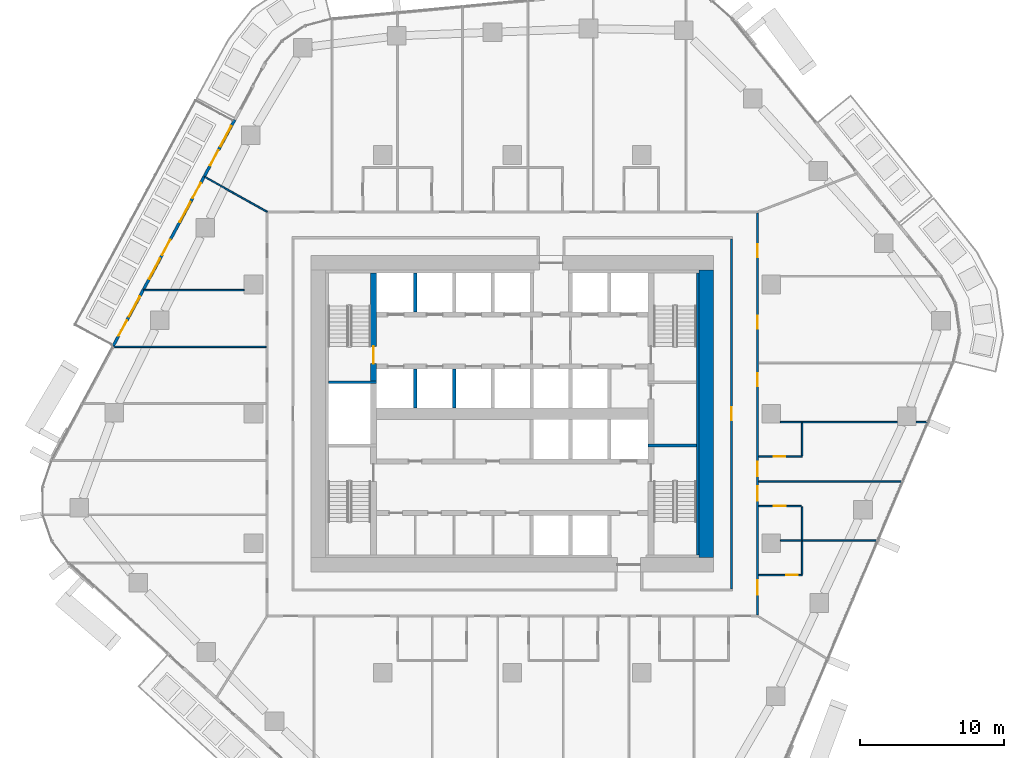
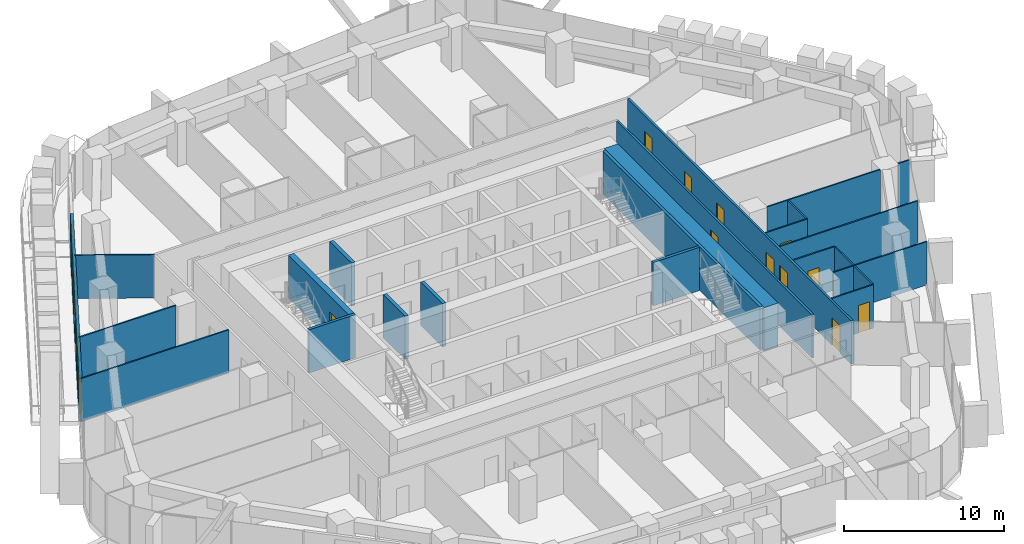
# One storey, part 14 of 23: 24 walls, 15 doors, 4 windows, 19 openings.
"""IFC4 building model written with IfcOpenShell, lengths in metres."""

from ifc_helpers import new_model, si_unit, direction, frame, frame_2d, origin, place, context, subcontext, project, spatial, rectangle, extrude, material, layer, layer_set, type_object, element, fill, save


model = new_model("IFC4")

# Units and contexts
model_context = context("Model", 3, precision=1e-05, world=origin(), true_north=direction((0.0, 1.0)))
body_context = subcontext(model_context, "Body", "Model", "MODEL_VIEW")
ifc_project = project(units=[si_unit("LENGTHUNIT", "METRE"), si_unit("AREAUNIT", "SQUARE_METRE"), si_unit("VOLUMEUNIT", "CUBIC_METRE"), si_unit("PLANEANGLEUNIT", "RADIAN"), si_unit("MASSUNIT", "GRAM", prefix="KILO")], contexts=[model_context])

# Site, building, storey
site_placement = place(None, origin())
site = spatial("IfcSite", under=ifc_project, at=site_placement, CompositionType="ELEMENT")
building_placement = place(site_placement, origin())
building = spatial("IfcBuilding", under=site, at=building_placement, Name="Dongbaek Canopy Tower", CompositionType="ELEMENT")
storey_placement = place(building_placement, frame((0.0, 0.0, 121.10009765625)))
storey = spatial("IfcBuildingStorey", under=building, at=storey_placement, Name="L26", CompositionType="ELEMENT", Elevation=121.10009765625)

# Walls
ifc_material_1 = material(Name="Concrete C60/75", Category="concrete")
ifc_layer_1 = layer(ifc_material_1, 1.0)
ifc_layer_set_1 = layer_set([ifc_layer_1], Name="Core outer wall 1000 Concrete C60/75")
wall_type_1 = type_object("IfcWallType", Name="Core outer wall 1000 Concrete C60/75", PredefinedType="SHEAR", material=ifc_layer_set_1)
wall_1_placement = place(storey_placement, frame((13.5, 10.0, 0.0), z_axis=(0.0, 0.0, 1.0), x_axis=(0.0, -1.0, 0.0)))
element("IfcWall", 1, at=wall_1_placement, inside=storey, type_object=wall_type_1, Name="Core wall", PredefinedType="SHEAR", context=body_context, shape_type="SweptSolid", body=[
    extrude(rectangle(XDim=20.0, YDim=1.0, at=frame_2d((10.0, 0.0))), origin(), (0.0, 0.0, 1.0), 3.2998046875),
])
ifc_material_2 = material(Name="Concrete C60/75", Category="concrete")
ifc_layer_2 = layer(ifc_material_2, 0.199951171875)
ifc_layer_set_2 = layer_set([ifc_layer_2], Name="Core wall lining 200 Concrete C60/75")
wall_type_2 = type_object("IfcWallType", Name="Core wall lining 200 Concrete C60/75", PredefinedType="SHEAR", material=ifc_layer_set_2)
wall_2_placement = place(storey_placement, frame((12.89990234375, 9.800048828125, 0.0), z_axis=(0.0, 0.0, 1.0), x_axis=(0.0, -1.0, 0.0)))
element("IfcWall", 2, at=wall_2_placement, inside=storey, type_object=wall_type_2, Name="Core wall lining", PredefinedType="SHEAR", context=body_context, shape_type="SweptSolid", body=[
    extrude(rectangle(XDim=19.60009765625, YDim=0.199951171875, at=frame_2d((9.800048828125, 0.0))), origin(), (0.0, 0.0, 1.0), 3.2998046875),
])

# Wall, openings, doors
ifc_material_3 = material(Name="Gypsum board partition, steel stud, 2 x 15 mm fire board", Category="steel")
ifc_layer_3 = layer(ifc_material_3, 0.14990234375)
ifc_layer_set_3 = layer_set([ifc_layer_3], Name="Fire-rated partition 150 gypsum board")
wall_type_3 = type_object("IfcWallType", Name="Fire-rated partition 150 gypsum board", PredefinedType="PARTITIONING", material=ifc_layer_set_3)
wall_3_placement = place(storey_placement, frame((17.050048828125, 13.97509765625, 0.0), z_axis=(0.0, 0.0, 1.0), x_axis=(0.0, -1.0, 0.0)))
wall_3 = element("IfcWall", 3, at=wall_3_placement, inside=storey, type_object=wall_type_3, Name="Corridor partition", PredefinedType="PARTITIONING", context=body_context, shape_type="SweptSolid", body=[
    extrude(rectangle(XDim=27.9501953125, YDim=0.14990234375, at=frame_2d((13.97509765625, 0.0))), origin(), (0.0, 0.0, 1.0), 3.2998046875),
])
opening_1_placement = place(wall_3_placement, frame((25.54541015625, 0.0, 0.0)))
opening_1 = element("IfcOpeningElement", 4, at=opening_1_placement, cuts=wall_3, Name="Opening L26-D018", PredefinedType="OPENING", context=body_context, shape_type="SweptSolid", body=[
    extrude(rectangle(XDim=1.0, YDim=2.10009765625, at=frame_2d((0.5, 1.050048828125))), frame((0.0, 0.0849609375, 0.0), z_axis=(0.0, -1.0, 0.0), x_axis=(1.0, 0.0, 0.0)), (0.0, 0.0, 1.0), 0.169921875),
])
opening_2_placement = place(wall_3_placement, frame((19.0244140625, 0.0, 0.0)))
opening_2 = element("IfcOpeningElement", 5, at=opening_2_placement, cuts=wall_3, Name="Opening L26-D020", PredefinedType="OPENING", context=body_context, shape_type="SweptSolid", body=[
    extrude(rectangle(XDim=1.0, YDim=2.10009765625, at=frame_2d((0.5, 1.050048828125))), frame((0.0, 0.0849609375, 0.0), z_axis=(0.0, -1.0, 0.0), x_axis=(1.0, 0.0, 0.0)), (0.0, 0.0, 1.0), 0.169921875),
])
opening_3_placement = place(wall_3_placement, frame((17.303466796875, 0.0, 0.0)))
opening_3 = element("IfcOpeningElement", 6, at=opening_3_placement, cuts=wall_3, Name="Opening L26-D022", PredefinedType="OPENING", context=body_context, shape_type="SweptSolid", body=[
    extrude(rectangle(XDim=1.0, YDim=2.10009765625, at=frame_2d((0.5, 1.050048828125))), frame((0.0, 0.0849609375, 0.0), z_axis=(0.0, -1.0, 0.0), x_axis=(1.0, 0.0, 0.0)), (0.0, 0.0, 1.0), 0.169921875),
])
opening_4_placement = place(wall_3_placement, frame((11.15478515625, 0.0, 0.0)))
opening_4 = element("IfcOpeningElement", 7, at=opening_4_placement, cuts=wall_3, Name="Opening L26-D023", PredefinedType="OPENING", context=body_context, shape_type="SweptSolid", body=[
    extrude(rectangle(XDim=0.89990234375, YDim=2.10009765625, at=frame_2d((0.449951171875, 1.050048828125))), frame((0.0, 0.0849609375, 0.0), z_axis=(0.0, -1.0, 0.0), x_axis=(1.0, 0.0, 0.0)), (0.0, 0.0, 1.0), 0.169921875),
])
opening_5_placement = place(wall_3_placement, frame((7.14453125, 0.0, 0.0)))
opening_5 = element("IfcOpeningElement", 8, at=opening_5_placement, cuts=wall_3, Name="Opening L26-D024", PredefinedType="OPENING", context=body_context, shape_type="SweptSolid", body=[
    extrude(rectangle(XDim=0.89990234375, YDim=2.10009765625, at=frame_2d((0.449951171875, 1.050048828125))), frame((0.0, 0.0849609375, 0.0), z_axis=(0.0, -1.0, 0.0), x_axis=(1.0, 0.0, 0.0)), (0.0, 0.0, 1.0), 0.169921875),
])
opening_6_placement = place(wall_3_placement, frame((2.16796875, 0.0, 0.0)))
opening_6 = element("IfcOpeningElement", 9, at=opening_6_placement, cuts=wall_3, Name="Opening L26-D025", PredefinedType="OPENING", context=body_context, shape_type="SweptSolid", body=[
    extrude(rectangle(XDim=0.89990234375, YDim=2.10009765625, at=frame_2d((0.449951171875, 1.050048828125))), frame((0.0, 0.0849609375, 0.0), z_axis=(0.0, -1.0, 0.0), x_axis=(1.0, 0.0, 0.0)), (0.0, 0.0, 1.0), 0.169921875),
])
ifc_material_4 = material(Name="Timber veneered door leaf", Category="wood")
door_type_1 = type_object("IfcDoorType", Name="Guest room door 1000 x 2100", OperationType="SINGLE_SWING_LEFT", PredefinedType="DOOR", material=ifc_material_4)
door_1_placement = place(opening_1_placement, origin())
door_1 = element("IfcDoor", 10, at=door_1_placement, inside=storey, type_object=door_type_1, Name="Door L26-D018", OperationType="SINGLE_SWING_LEFT", OverallHeight=2.10009765625, OverallWidth=1.0, PredefinedType="DOOR", context=body_context, shape_type="SweptSolid", body=[
    extrude(rectangle(XDim=1.0, YDim=2.10009765625, at=frame_2d((0.5, 1.050048828125))), frame((0.0, 0.02490234375, 0.0), z_axis=(0.0, -1.0, 0.0), x_axis=(1.0, 0.0, 0.0)), (0.0, 0.0, 1.0), 0.050048828125),
])
fill(opening_1, door_1)
door_2_placement = place(opening_2_placement, origin())
door_2 = element("IfcDoor", 11, at=door_2_placement, inside=storey, type_object=door_type_1, Name="Door L26-D020", OperationType="SINGLE_SWING_RIGHT", OverallHeight=2.10009765625, OverallWidth=1.0, PredefinedType="DOOR", context=body_context, shape_type="SweptSolid", body=[
    extrude(rectangle(XDim=1.0, YDim=2.10009765625, at=frame_2d((0.5, 1.050048828125))), frame((0.0, 0.02490234375, 0.0), z_axis=(0.0, -1.0, 0.0), x_axis=(1.0, 0.0, 0.0)), (0.0, 0.0, 1.0), 0.050048828125),
])
fill(opening_2, door_2)
door_3_placement = place(opening_3_placement, origin())
door_3 = element("IfcDoor", 12, at=door_3_placement, inside=storey, type_object=door_type_1, Name="Door L26-D022", OperationType="SINGLE_SWING_LEFT", OverallHeight=2.10009765625, OverallWidth=1.0, PredefinedType="DOOR", context=body_context, shape_type="SweptSolid", body=[
    extrude(rectangle(XDim=1.0, YDim=2.10009765625, at=frame_2d((0.5, 1.050048828125))), frame((0.0, 0.02490234375, 0.0), z_axis=(0.0, -1.0, 0.0), x_axis=(1.0, 0.0, 0.0)), (0.0, 0.0, 1.0), 0.050048828125),
])
fill(opening_3, door_3)
ifc_material_5 = material(Name="Timber veneered door leaf", Category="wood")
door_type_2 = type_object("IfcDoorType", Name="Room door 900 x 2100", OperationType="SINGLE_SWING_LEFT", PredefinedType="DOOR", material=ifc_material_5)
door_4_placement = place(opening_4_placement, origin())
door_4 = element("IfcDoor", 13, at=door_4_placement, inside=storey, type_object=door_type_2, Name="Door L26-D023", OperationType="SINGLE_SWING_RIGHT", OverallHeight=2.10009765625, OverallWidth=0.89990234375, PredefinedType="DOOR", context=body_context, shape_type="SweptSolid", body=[
    extrude(rectangle(XDim=0.89990234375, YDim=2.10009765625, at=frame_2d((0.449951171875, 1.050048828125))), frame((0.0, 0.02490234375, 0.0), z_axis=(0.0, -1.0, 0.0), x_axis=(1.0, 0.0, 0.0)), (0.0, 0.0, 1.0), 0.050048828125),
])
fill(opening_4, door_4)
door_5_placement = place(opening_5_placement, origin())
door_5 = element("IfcDoor", 14, at=door_5_placement, inside=storey, type_object=door_type_2, Name="Door L26-D024", OperationType="SINGLE_SWING_LEFT", OverallHeight=2.10009765625, OverallWidth=0.89990234375, PredefinedType="DOOR", context=body_context, shape_type="SweptSolid", body=[
    extrude(rectangle(XDim=0.89990234375, YDim=2.10009765625, at=frame_2d((0.449951171875, 1.050048828125))), frame((0.0, 0.02490234375, 0.0), z_axis=(0.0, -1.0, 0.0), x_axis=(1.0, 0.0, 0.0)), (0.0, 0.0, 1.0), 0.050048828125),
])
fill(opening_5, door_5)
door_6_placement = place(opening_6_placement, origin())
door_6 = element("IfcDoor", 15, at=door_6_placement, inside=storey, type_object=door_type_2, Name="Door L26-D025", OperationType="SINGLE_SWING_RIGHT", OverallHeight=2.10009765625, OverallWidth=0.89990234375, PredefinedType="DOOR", context=body_context, shape_type="SweptSolid", body=[
    extrude(rectangle(XDim=0.89990234375, YDim=2.10009765625, at=frame_2d((0.449951171875, 1.050048828125))), frame((0.0, 0.02490234375, 0.0), z_axis=(0.0, -1.0, 0.0), x_axis=(1.0, 0.0, 0.0)), (0.0, 0.0, 1.0), 0.050048828125),
])
fill(opening_6, door_6)

# Wall, opening, door
wall_4_placement = place(storey_placement, frame((15.25, -12.175048828125, 0.0), z_axis=(0.0, 0.0, 1.0), x_axis=(0.0, 1.0, 0.0)))
wall_4 = element("IfcWall", 16, at=wall_4_placement, inside=storey, type_object=wall_type_3, Name="Corridor partition", PredefinedType="PARTITIONING", context=body_context, shape_type="SweptSolid", body=[
    extrude(rectangle(XDim=24.35009765625, YDim=0.14990234375, at=frame_2d((12.175048828125, 0.0))), origin(), (0.0, 0.0, 1.0), 3.2998046875),
])
opening_7_placement = place(wall_4_placement, frame((11.72509765625, 0.0, 0.0)))
opening_7 = element("IfcOpeningElement", 17, at=opening_7_placement, cuts=wall_4, Name="Opening L26-D042", PredefinedType="OPENING", context=body_context, shape_type="SweptSolid", body=[
    extrude(rectangle(XDim=0.89990234375, YDim=2.10009765625, at=frame_2d((0.449951171875, 1.050048828125))), frame((0.0, 0.0849609375, 0.0), z_axis=(0.0, -1.0, 0.0), x_axis=(1.0, 0.0, 0.0)), (0.0, 0.0, 1.0), 0.169921875),
])
door_7_placement = place(opening_7_placement, origin())
door_7 = element("IfcDoor", 18, at=door_7_placement, inside=storey, type_object=door_type_2, Name="Door L26-D042", OperationType="SINGLE_SWING_RIGHT", OverallHeight=2.10009765625, OverallWidth=0.89990234375, PredefinedType="DOOR", context=body_context, shape_type="SweptSolid", body=[
    extrude(rectangle(XDim=0.89990234375, YDim=2.10009765625, at=frame_2d((0.449951171875, 1.050048828125))), frame((0.0, 0.02490234375, 0.0), z_axis=(0.0, -1.0, 0.0), x_axis=(1.0, 0.0, 0.0)), (0.0, 0.0, 1.0), 0.050048828125),
])
fill(opening_7, door_7)

# Walls
ifc_material_6 = material(Name="Concrete C40/50", Category="concrete")
ifc_layer_4 = layer(ifc_material_6, 0.25)
ifc_layer_set_4 = layer_set([ifc_layer_4], Name="Lift shaft wall 250 Concrete C40/50")
wall_type_4 = type_object("IfcWallType", Name="Lift shaft wall 250 Concrete C40/50", PredefinedType="SOLIDWALL", material=ifc_layer_set_4)
for number, where, z_axis, x_axis, name in (
    (19, (-4.050048828125, 0.39990234375, 0.0), (0.0, 0.0, 1.0), (0.0, 1.0, 0.0), "Lift shaft wall"),
    (20, (-6.75, 0.39990234375, 0.0), (0.0, 0.0, 1.0), (0.0, 1.0, 0.0), "Lift shaft wall"),
    (21, (-6.75, 7.074951171875, 0.0), (0.0, 0.0, 1.0), (0.0, 1.0, 0.0), "Lift shaft wall"),
):
    element("IfcWall", number, at=place(storey_placement, frame(where, z_axis=z_axis, x_axis=x_axis)), inside=storey, type_object=wall_type_4, Name=name, PredefinedType="SOLIDWALL", context=body_context, shape_type="SweptSolid", body=[
        extrude(rectangle(XDim=2.72509765625, YDim=0.25, at=frame_2d((1.362548828125, 0.0))), origin(), (0.0, 0.0, 1.0), 3.2998046875),
    ])

# Wall, opening, door
ifc_material_7 = material(Name="Gypsum board partition, steel stud, 2 x 12.5 mm board", Category="steel")
ifc_layer_5 = layer(ifc_material_7, 0.10009765625)
ifc_layer_set_5 = layer_set([ifc_layer_5], Name="Partition 100 gypsum board")
wall_type_5 = type_object("IfcWallType", Name="Partition 100 gypsum board", PredefinedType="PARTITIONING", material=ifc_layer_set_5)
wall_5_placement = place(storey_placement, frame((17.125, -11.2099609375, 0.0), z_axis=(0.0, 0.0, 1.0), x_axis=(1.0, 0.0, 0.0)))
wall_5 = element("IfcWall", 22, at=wall_5_placement, inside=storey, type_object=wall_type_5, Name="Partition", PredefinedType="PARTITIONING", context=body_context, shape_type="SweptSolid", body=[
    extrude(rectangle(XDim=3.02490234375, YDim=0.10009765625, at=frame_2d((1.512451171875, 0.0))), origin(), (0.0, 0.0, 1.0), 3.2998046875),
])
opening_8_placement = place(wall_5_placement, frame((1.929931640625, 0.0, 0.0)))
opening_8 = element("IfcOpeningElement", 23, at=opening_8_placement, cuts=wall_5, Name="Opening L26-D017", PredefinedType="OPENING", context=body_context, shape_type="SweptSolid", body=[
    extrude(rectangle(XDim=0.800048828125, YDim=2.10009765625, at=frame_2d((0.39990234375, 1.050048828125))), frame((0.0, 0.06005859375, 0.0), z_axis=(0.0, -1.0, 0.0), x_axis=(1.0, 0.0, 0.0)), (0.0, 0.0, 1.0), 0.1201171875),
])
ifc_material_8 = material(Name="Timber veneered door leaf", Category="wood")
door_type_3 = type_object("IfcDoorType", Name="En-suite door 800 x 2100", OperationType="SINGLE_SWING_LEFT", PredefinedType="DOOR", material=ifc_material_8)
door_8_placement = place(opening_8_placement, origin())
door_8 = element("IfcDoor", 24, at=door_8_placement, inside=storey, type_object=door_type_3, Name="Door L26-D017", OperationType="SINGLE_SWING_RIGHT", OverallHeight=2.10009765625, OverallWidth=0.800048828125, PredefinedType="DOOR", context=body_context, shape_type="SweptSolid", body=[
    extrude(rectangle(XDim=0.800048828125, YDim=2.10009765625, at=frame_2d((0.39990234375, 1.050048828125))), frame((0.0, 0.02490234375, 0.0), z_axis=(0.0, -1.0, 0.0), x_axis=(1.0, 0.0, 0.0)), (0.0, 0.0, 1.0), 0.050048828125),
])
fill(opening_8, door_8)

# Wall
wall_6_placement = place(storey_placement, frame((18.64990234375, -8.81005859375, 0.0), z_axis=(0.0, 0.0, 1.0), x_axis=(1.0, 0.0, 0.0)))
element("IfcWall", 25, at=wall_6_placement, inside=storey, type_object=wall_type_5, Name="Partition", PredefinedType="PARTITIONING", context=body_context, shape_type="SweptSolid", body=[
    extrude(rectangle(XDim=6.734619140625, YDim=0.10009765625, at=frame_2d((3.3671875, 0.0))), origin(), (0.0, 0.0, 1.0), 3.2998046875),
])

# Wall, opening, door
wall_7_placement = place(storey_placement, frame((20.10009765625, -6.409912109375, 0.0), z_axis=(0.0, 0.0, 1.0), x_axis=(-1.0, 0.0, 0.0)))
wall_7 = element("IfcWall", 26, at=wall_7_placement, inside=storey, type_object=wall_type_5, Name="Partition", PredefinedType="PARTITIONING", context=body_context, shape_type="SweptSolid", body=[
    extrude(rectangle(XDim=2.97509765625, YDim=0.10009765625, at=frame_2d((1.487548828125, 0.0))), origin(), (0.0, 0.0, 1.0), 3.2998046875),
])
opening_9_placement = place(wall_7_placement, frame((1.10009765625, 0.0, 0.0)))
opening_9 = element("IfcOpeningElement", 27, at=opening_9_placement, cuts=wall_7, Name="Opening L26-D019", PredefinedType="OPENING", context=body_context, shape_type="SweptSolid", body=[
    extrude(rectangle(XDim=0.800048828125, YDim=2.10009765625, at=frame_2d((0.39990234375, 1.050048828125))), frame((0.0, 0.06005859375, 0.0), z_axis=(0.0, -1.0, 0.0), x_axis=(1.0, 0.0, 0.0)), (0.0, 0.0, 1.0), 0.1201171875),
])
door_9_placement = place(opening_9_placement, origin())
door_9 = element("IfcDoor", 28, at=door_9_placement, inside=storey, type_object=door_type_3, Name="Door L26-D019", OperationType="SINGLE_SWING_LEFT", OverallHeight=2.10009765625, OverallWidth=0.800048828125, PredefinedType="DOOR", context=body_context, shape_type="SweptSolid", body=[
    extrude(rectangle(XDim=0.800048828125, YDim=2.10009765625, at=frame_2d((0.39990234375, 1.050048828125))), frame((0.0, 0.02490234375, 0.0), z_axis=(0.0, -1.0, 0.0), x_axis=(1.0, 0.0, 0.0)), (0.0, 0.0, 1.0), 0.050048828125),
])
fill(opening_9, door_9)

# Wall
wall_8_placement = place(storey_placement, frame((17.125, -4.68896484375, 0.0), z_axis=(0.0, 0.0, 1.0), x_axis=(1.0, 0.0, 0.0)))
element("IfcWall", 29, at=wall_8_placement, inside=storey, type_object=wall_type_5, Name="Partition", PredefinedType="PARTITIONING", context=body_context, shape_type="SweptSolid", body=[
    extrude(rectangle(XDim=10.003173828125, YDim=0.10009765625, at=frame_2d((5.00146484375, 0.0))), origin(), (0.0, 0.0, 1.0), 3.2998046875),
])

# Wall, opening, door
wall_9_placement = place(storey_placement, frame((17.125, -2.968017578125, 0.0), z_axis=(0.0, 0.0, 1.0), x_axis=(1.0, 0.0, 0.0)))
wall_9 = element("IfcWall", 30, at=wall_9_placement, inside=storey, type_object=wall_type_5, Name="Partition", PredefinedType="PARTITIONING", context=body_context, shape_type="SweptSolid", body=[
    extrude(rectangle(XDim=3.02490234375, YDim=0.10009765625, at=frame_2d((1.512451171875, 0.0))), origin(), (0.0, 0.0, 1.0), 3.2998046875),
])
opening_10_placement = place(wall_9_placement, frame((1.074951171875, 0.0, 0.0)))
opening_10 = element("IfcOpeningElement", 31, at=opening_10_placement, cuts=wall_9, Name="Opening L26-D021", PredefinedType="OPENING", context=body_context, shape_type="SweptSolid", body=[
    extrude(rectangle(XDim=0.800048828125, YDim=2.10009765625, at=frame_2d((0.39990234375, 1.050048828125))), frame((0.0, 0.06005859375, 0.0), z_axis=(0.0, -1.0, 0.0), x_axis=(1.0, 0.0, 0.0)), (0.0, 0.0, 1.0), 0.1201171875),
])
door_10_placement = place(opening_10_placement, origin())
door_10 = element("IfcDoor", 32, at=door_10_placement, inside=storey, type_object=door_type_3, Name="Door L26-D021", OperationType="SINGLE_SWING_RIGHT", OverallHeight=2.10009765625, OverallWidth=0.800048828125, PredefinedType="DOOR", context=body_context, shape_type="SweptSolid", body=[
    extrude(rectangle(XDim=0.800048828125, YDim=2.10009765625, at=frame_2d((0.39990234375, 1.050048828125))), frame((0.0, 0.02490234375, 0.0), z_axis=(0.0, -1.0, 0.0), x_axis=(1.0, 0.0, 0.0)), (0.0, 0.0, 1.0), 0.050048828125),
])
fill(opening_10, door_10)

# Walls
wall_10_placement = place(storey_placement, frame((18.64990234375, -0.568115234375, 0.0), z_axis=(0.0, 0.0, 1.0), x_axis=(1.0, 0.0, 0.0)))
element("IfcWall", 33, at=wall_10_placement, inside=storey, type_object=wall_type_5, Name="Partition", PredefinedType="PARTITIONING", context=body_context, shape_type="SweptSolid", body=[
    extrude(rectangle(XDim=8.135986328125, YDim=0.10009765625, at=frame_2d((4.06787109375, 0.0))), origin(), (0.0, 0.0, 1.0), 3.2998046875),
])
wall_11_placement = place(storey_placement, frame((28.0859375, -0.568115234375, 0.0), z_axis=(0.0, 0.0, 1.0), x_axis=(1.0, 0.0, 0.0)))
element("IfcWall", 34, at=wall_11_placement, inside=storey, type_object=wall_type_5, Name="Partition", PredefinedType="PARTITIONING", context=body_context, shape_type="SweptSolid", body=[
    extrude(rectangle(XDim=0.785888671875, YDim=0.10009765625, at=frame_2d((0.39306640625, 0.0))), origin(), (0.0, 0.0, 1.0), 3.2998046875),
])
wall_12_placement = place(storey_placement, frame((-27.77099609375, 4.659912109375, 0.0), z_axis=(0.0, 0.0, 1.0), x_axis=(1.0, 0.0, 0.0)))
element("IfcWall", 35, at=wall_12_placement, inside=storey, type_object=wall_type_5, Name="Partition", PredefinedType="PARTITIONING", context=body_context, shape_type="SweptSolid", body=[
    extrude(rectangle(XDim=10.64599609375, YDim=0.10009765625, at=frame_2d((5.322998046875, 0.0))), origin(), (0.0, 0.0, 1.0), 3.2998046875),
])
wall_13_placement = place(storey_placement, frame((-25.649169921875, 8.60791015625, 0.0), z_axis=(0.0, 0.0, 1.0), x_axis=(1.0, 0.0, 0.0)))
element("IfcWall", 36, at=wall_13_placement, inside=storey, type_object=wall_type_5, Name="Partition", PredefinedType="PARTITIONING", context=body_context, shape_type="SweptSolid", body=[
    extrude(rectangle(XDim=6.999267578125, YDim=0.10009765625, at=frame_2d((3.49951171875, 0.0))), origin(), (0.0, 0.0, 1.0), 3.2998046875),
])
wall_14_placement = place(storey_placement, frame((20.14990234375, -11.159912109375, 0.0), z_axis=(0.0, 0.0, 1.0), x_axis=(0.0, 1.0, 0.0)))
element("IfcWall", 37, at=wall_14_placement, inside=storey, type_object=wall_type_5, Name="Partition", PredefinedType="PARTITIONING", context=body_context, shape_type="SweptSolid", body=[
    extrude(rectangle(XDim=2.2998046875, YDim=0.10009765625, at=frame_2d((1.14990234375, 0.0))), origin(), (0.0, 0.0, 1.0), 3.2998046875),
])
wall_15_placement = place(storey_placement, frame((20.14990234375, -8.760009765625, 0.0), z_axis=(0.0, 0.0, 1.0), x_axis=(0.0, 1.0, 0.0)))
element("IfcWall", 38, at=wall_15_placement, inside=storey, type_object=wall_type_5, Name="Partition", PredefinedType="PARTITIONING", context=body_context, shape_type="SweptSolid", body=[
    extrude(rectangle(XDim=2.30029296875, YDim=0.10009765625, at=frame_2d((1.150146484375, 0.0))), origin(), (0.0, 0.0, 1.0), 3.2998046875),
])
wall_16_placement = place(storey_placement, frame((20.14990234375, -2.91796875, 0.0), z_axis=(0.0, 0.0, 1.0), x_axis=(0.0, 1.0, 0.0)))
element("IfcWall", 39, at=wall_16_placement, inside=storey, type_object=wall_type_5, Name="Partition", PredefinedType="PARTITIONING", context=body_context, shape_type="SweptSolid", body=[
    extrude(rectangle(XDim=2.300048828125, YDim=0.10009765625, at=frame_2d((1.14990234375, 0.0))), origin(), (0.0, 0.0, 1.0), 3.2998046875),
])
wall_17_placement = place(storey_placement, frame((-21.41064453125, 16.493896484375, 0.0), z_axis=(0.0, 0.0, 1.0), x_axis=(0.872342728858, -0.488894838803, 0.0)))
element("IfcWall", 40, at=wall_17_placement, inside=storey, type_object=wall_type_5, Name="Partition", PredefinedType="PARTITIONING", context=body_context, shape_type="SweptSolid", body=[
    extrude(rectangle(XDim=4.998779296875, YDim=0.10009765625, at=frame_2d((2.49951171875, 0.0))), origin(), (0.0, 0.0, 1.0), 3.2998046875),
])
ifc_material_9 = material(Name="Concrete C60/75", Category="concrete")
ifc_layer_6 = layer(ifc_material_9, 0.199951171875)
ifc_layer_set_6 = layer_set([ifc_layer_6], Name="Riser wall 200 Concrete C60/75")
wall_type_6 = type_object("IfcWallType", Name="Riser wall 200 Concrete C60/75", PredefinedType="SHEAR", material=ifc_layer_set_6)
for number, where, z_axis, x_axis, name in (
    (41, (-9.449951171875, 2.199951171875, 0.0), (0.0, 0.0, 1.0), (-1.0, 0.0, 0.0), "Riser wall"),
    (42, (9.449951171875, -2.199951171875, 0.0), (0.0, 0.0, 1.0), (1.0, 0.0, 0.0), "Riser wall"),
):
    element("IfcWall", number, at=place(storey_placement, frame(where, z_axis=z_axis, x_axis=x_axis)), inside=storey, type_object=wall_type_6, Name=name, PredefinedType="SHEAR", context=body_context, shape_type="SweptSolid", body=[
        extrude(rectangle(XDim=3.35009765625, YDim=0.199951171875, at=frame_2d((1.675048828125, 0.0))), origin(), (0.0, 0.0, 1.0), 3.2998046875),
    ])

# Wall, opening, door
ifc_material_10 = material(Name="Concrete C60/75", Category="concrete")
ifc_layer_7 = layer(ifc_material_10, 0.39990234375)
ifc_layer_set_7 = layer_set([ifc_layer_7], Name="Stair wall 400 Concrete C60/75")
wall_type_7 = type_object("IfcWallType", Name="Stair wall 400 Concrete C60/75", PredefinedType="SHEAR", material=ifc_layer_set_7)
wall_18_placement = place(storey_placement, frame((-9.64990234375, 2.300048828125, 0.0), z_axis=(0.0, 0.0, 1.0), x_axis=(0.0, 1.0, 0.0)))
wall_18 = element("IfcWall", 43, at=wall_18_placement, inside=storey, type_object=wall_type_7, Name="Stair wall", PredefinedType="SHEAR", context=body_context, shape_type="SweptSolid", body=[
    extrude(rectangle(XDim=7.5, YDim=0.39990234375, at=frame_2d((3.75, 0.0))), origin(), (0.0, 0.0, 1.0), 3.2998046875),
])
opening_11_placement = place(wall_18_placement, frame((1.199951171875, 0.0, 0.0)))
opening_11 = element("IfcOpeningElement", 44, at=opening_11_placement, cuts=wall_18, Name="Opening L26-D069", PredefinedType="OPENING", context=body_context, shape_type="SweptSolid", body=[
    extrude(rectangle(XDim=1.199951171875, YDim=2.10009765625, at=frame_2d((0.60009765625, 1.050048828125))), frame((0.0, 0.2099609375, 0.0), z_axis=(0.0, -1.0, 0.0), x_axis=(1.0, 0.0, 0.0)), (0.0, 0.0, 1.0), 0.419921875),
])
ifc_material_11 = material(Name="Steel", Category="steel")
door_type_4 = type_object("IfcDoorType", Name="Stair door 1200 x 2100", OperationType="SINGLE_SWING_LEFT", PredefinedType="DOOR", material=ifc_material_11)
door_11_placement = place(opening_11_placement, origin())
door_11 = element("IfcDoor", 45, at=door_11_placement, inside=storey, type_object=door_type_4, Name="Stair C door", OperationType="SINGLE_SWING_RIGHT", OverallHeight=2.10009765625, OverallWidth=1.199951171875, PredefinedType="DOOR", context=body_context, shape_type="SweptSolid", body=[
    extrude(rectangle(XDim=1.199951171875, YDim=2.10009765625, at=frame_2d((0.60009765625, 1.050048828125))), frame((0.0, 0.02490234375, 0.0), z_axis=(0.0, -1.0, 0.0), x_axis=(1.0, 0.0, 0.0)), (0.0, 0.0, 1.0), 0.050048828125),
])
fill(opening_11, door_11)

# Wall, openings, doors, windows
ifc_material_12 = material(Name="Aluminium window wall", Category="aluminium")
ifc_layer_8 = layer(ifc_material_12, 0.199951171875)
ifc_layer_set_8 = layer_set([ifc_layer_8], Name="Window wall 200")
wall_type_8 = type_object("IfcWallType", Name="Window wall 200", PredefinedType="SOLIDWALL", material=ifc_layer_set_8)
wall_19_placement = place(storey_placement, frame((-19.306396484375, 20.451416015625, 0.0), z_axis=(0.0, 0.0, 1.0), x_axis=(-0.473410228211, -0.880842072011, 0.0)))
wall_19 = element("IfcWall", 46, at=wall_19_placement, inside=storey, type_object=wall_type_8, Name="Window wall L26 2", PredefinedType="SOLIDWALL", context=body_context, shape_type="SweptSolid", body=[
    extrude(rectangle(XDim=17.927978515625, YDim=0.199951171875, at=frame_2d((8.9638671875, 0.0))), origin(), (0.0, 0.0, 1.0), 3.2998046875),
])
opening_12_placement = place(wall_19_placement, frame((0.5, 0.0, 0.60009765625)))
opening_12 = element("IfcOpeningElement", 47, at=opening_12_placement, cuts=wall_19, Name="Opening W1", PredefinedType="OPENING", context=body_context, shape_type="SweptSolid", body=[
    extrude(rectangle(XDim=1.60009765625, YDim=2.39990234375, at=frame_2d((0.800048828125, 1.199951171875))), frame((0.0, 0.10986328125, 0.0), z_axis=(0.0, -1.0, 0.0), x_axis=(1.0, 0.0, 0.0)), (0.0, 0.0, 1.0), 0.219970703125),
])
opening_13_placement = place(wall_19_placement, frame((2.39990234375, 0.0, 0.0)))
opening_13 = element("IfcOpeningElement", 48, at=opening_13_placement, cuts=wall_19, Name="Opening L26-B04", PredefinedType="OPENING", context=body_context, shape_type="SweptSolid", body=[
    extrude(rectangle(XDim=1.199951171875, YDim=2.39990234375, at=frame_2d((0.60009765625, 1.199951171875))), frame((0.0, 0.10986328125, 0.0), z_axis=(0.0, -1.0, 0.0), x_axis=(1.0, 0.0, 0.0)), (0.0, 0.0, 1.0), 0.219970703125),
])
opening_14_placement = place(wall_19_placement, frame((6.482177734375, 0.0, 0.60009765625)))
opening_14 = element("IfcOpeningElement", 49, at=opening_14_placement, cuts=wall_19, Name="Opening W1", PredefinedType="OPENING", context=body_context, shape_type="SweptSolid", body=[
    extrude(rectangle(XDim=1.60009765625, YDim=2.39990234375, at=frame_2d((0.800048828125, 1.199951171875))), frame((0.0, 0.10986328125, 0.0), z_axis=(0.0, -1.0, 0.0), x_axis=(1.0, 0.0, 0.0)), (0.0, 0.0, 1.0), 0.219970703125),
])
opening_15_placement = place(wall_19_placement, frame((4.982177734375, 0.0, 0.0)))
opening_15 = element("IfcOpeningElement", 50, at=opening_15_placement, cuts=wall_19, Name="Opening L26-B05", PredefinedType="OPENING", context=body_context, shape_type="SweptSolid", body=[
    extrude(rectangle(XDim=1.199951171875, YDim=2.39990234375, at=frame_2d((0.60009765625, 1.199951171875))), frame((0.0, 0.10986328125, 0.0), z_axis=(0.0, -1.0, 0.0), x_axis=(1.0, 0.0, 0.0)), (0.0, 0.0, 1.0), 0.219970703125),
])
opening_16_placement = place(wall_19_placement, frame((10.964111328125, 0.0, 0.60009765625)))
opening_16 = element("IfcOpeningElement", 51, at=opening_16_placement, cuts=wall_19, Name="Opening W1", PredefinedType="OPENING", context=body_context, shape_type="SweptSolid", body=[
    extrude(rectangle(XDim=1.60009765625, YDim=2.39990234375, at=frame_2d((0.800048828125, 1.199951171875))), frame((0.0, 0.10986328125, 0.0), z_axis=(0.0, -1.0, 0.0), x_axis=(1.0, 0.0, 0.0)), (0.0, 0.0, 1.0), 0.219970703125),
])
opening_17_placement = place(wall_19_placement, frame((9.464111328125, 0.0, 0.0)))
opening_17 = element("IfcOpeningElement", 52, at=opening_17_placement, cuts=wall_19, Name="Opening L26-B06", PredefinedType="OPENING", context=body_context, shape_type="SweptSolid", body=[
    extrude(rectangle(XDim=1.199951171875, YDim=2.39990234375, at=frame_2d((0.60009765625, 1.199951171875))), frame((0.0, 0.10986328125, 0.0), z_axis=(0.0, -1.0, 0.0), x_axis=(1.0, 0.0, 0.0)), (0.0, 0.0, 1.0), 0.219970703125),
])
opening_18_placement = place(wall_19_placement, frame((13.9462890625, 0.0, 0.60009765625)))
opening_18 = element("IfcOpeningElement", 53, at=opening_18_placement, cuts=wall_19, Name="Opening W1", PredefinedType="OPENING", context=body_context, shape_type="SweptSolid", body=[
    extrude(rectangle(XDim=1.60009765625, YDim=2.39990234375, at=frame_2d((0.800048828125, 1.199951171875))), frame((0.0, 0.10986328125, 0.0), z_axis=(0.0, -1.0, 0.0), x_axis=(1.0, 0.0, 0.0)), (0.0, 0.0, 1.0), 0.219970703125),
])
opening_19_placement = place(wall_19_placement, frame((15.84619140625, 0.0, 0.0)))
opening_19 = element("IfcOpeningElement", 54, at=opening_19_placement, cuts=wall_19, Name="Opening L26-B07", PredefinedType="OPENING", context=body_context, shape_type="SweptSolid", body=[
    extrude(rectangle(XDim=1.199951171875, YDim=2.39990234375, at=frame_2d((0.60009765625, 1.199951171875))), frame((0.0, 0.10986328125, 0.0), z_axis=(0.0, -1.0, 0.0), x_axis=(1.0, 0.0, 0.0)), (0.0, 0.0, 1.0), 0.219970703125),
])
ifc_material_13 = material(Name="Clear glazing in aluminium frame", Category="aluminium")
door_type_5 = type_object("IfcDoorType", Name="Balcony door BD1 1200 x 2400", OperationType="SLIDING_TO_LEFT", PredefinedType="DOOR", material=ifc_material_13)
door_12_placement = place(opening_13_placement, origin())
door_12 = element("IfcDoor", 55, at=door_12_placement, inside=storey, type_object=door_type_5, Name="Balcony door L26-B04", OperationType="SLIDING_TO_LEFT", OverallHeight=2.39990234375, OverallWidth=1.199951171875, PredefinedType="DOOR", context=body_context, shape_type="SweptSolid", body=[
    extrude(rectangle(XDim=1.199951171875, YDim=2.39990234375, at=frame_2d((0.60009765625, 1.199951171875))), frame((0.0, 0.02490234375, 0.0), z_axis=(0.0, -1.0, 0.0), x_axis=(1.0, 0.0, 0.0)), (0.0, 0.0, 1.0), 0.050048828125),
])
fill(opening_13, door_12)
door_13_placement = place(opening_15_placement, origin())
door_13 = element("IfcDoor", 56, at=door_13_placement, inside=storey, type_object=door_type_5, Name="Balcony door L26-B05", OperationType="SLIDING_TO_LEFT", OverallHeight=2.39990234375, OverallWidth=1.199951171875, PredefinedType="DOOR", context=body_context, shape_type="SweptSolid", body=[
    extrude(rectangle(XDim=1.199951171875, YDim=2.39990234375, at=frame_2d((0.60009765625, 1.199951171875))), frame((0.0, 0.02490234375, 0.0), z_axis=(0.0, -1.0, 0.0), x_axis=(1.0, 0.0, 0.0)), (0.0, 0.0, 1.0), 0.050048828125),
])
fill(opening_15, door_13)
door_14_placement = place(opening_17_placement, origin())
door_14 = element("IfcDoor", 57, at=door_14_placement, inside=storey, type_object=door_type_5, Name="Balcony door L26-B06", OperationType="SLIDING_TO_LEFT", OverallHeight=2.39990234375, OverallWidth=1.199951171875, PredefinedType="DOOR", context=body_context, shape_type="SweptSolid", body=[
    extrude(rectangle(XDim=1.199951171875, YDim=2.39990234375, at=frame_2d((0.60009765625, 1.199951171875))), frame((0.0, 0.02490234375, 0.0), z_axis=(0.0, -1.0, 0.0), x_axis=(1.0, 0.0, 0.0)), (0.0, 0.0, 1.0), 0.050048828125),
])
fill(opening_17, door_14)
door_15_placement = place(opening_19_placement, origin())
door_15 = element("IfcDoor", 58, at=door_15_placement, inside=storey, type_object=door_type_5, Name="Balcony door L26-B07", OperationType="SLIDING_TO_LEFT", OverallHeight=2.39990234375, OverallWidth=1.199951171875, PredefinedType="DOOR", context=body_context, shape_type="SweptSolid", body=[
    extrude(rectangle(XDim=1.199951171875, YDim=2.39990234375, at=frame_2d((0.60009765625, 1.199951171875))), frame((0.0, 0.02490234375, 0.0), z_axis=(0.0, -1.0, 0.0), x_axis=(1.0, 0.0, 0.0)), (0.0, 0.0, 1.0), 0.050048828125),
])
fill(opening_19, door_15)
ifc_material_14 = material(Name="Clear glazing in aluminium frame", Category="aluminium")
window_type = type_object("IfcWindowType", Name="Window W1 1600 x 2400", PartitioningType="SINGLE_PANEL", PredefinedType="WINDOW", material=ifc_material_14)
window_1_placement = place(opening_12_placement, origin())
window_1 = element("IfcWindow", 59, at=window_1_placement, inside=storey, type_object=window_type, Name="Window L26 2.1", OverallHeight=2.39990234375, OverallWidth=1.60009765625, PartitioningType="SINGLE_PANEL", PredefinedType="WINDOW", context=body_context, shape_type="SweptSolid", body=[
    extrude(rectangle(XDim=1.60009765625, YDim=2.39990234375, at=frame_2d((0.800048828125, 1.199951171875))), frame((0.0, 0.030029296875, 0.0), z_axis=(0.0, -1.0, 0.0), x_axis=(1.0, 0.0, 0.0)), (0.0, 0.0, 1.0), 0.06005859375),
])
fill(opening_12, window_1)
window_2_placement = place(opening_14_placement, origin())
window_2 = element("IfcWindow", 60, at=window_2_placement, inside=storey, type_object=window_type, Name="Window L26 2.2", OverallHeight=2.39990234375, OverallWidth=1.60009765625, PartitioningType="SINGLE_PANEL", PredefinedType="WINDOW", context=body_context, shape_type="SweptSolid", body=[
    extrude(rectangle(XDim=1.60009765625, YDim=2.39990234375, at=frame_2d((0.800048828125, 1.199951171875))), frame((0.0, 0.030029296875, 0.0), z_axis=(0.0, -1.0, 0.0), x_axis=(1.0, 0.0, 0.0)), (0.0, 0.0, 1.0), 0.06005859375),
])
fill(opening_14, window_2)
window_3_placement = place(opening_16_placement, origin())
window_3 = element("IfcWindow", 61, at=window_3_placement, inside=storey, type_object=window_type, Name="Window L26 2.3", OverallHeight=2.39990234375, OverallWidth=1.60009765625, PartitioningType="SINGLE_PANEL", PredefinedType="WINDOW", context=body_context, shape_type="SweptSolid", body=[
    extrude(rectangle(XDim=1.60009765625, YDim=2.39990234375, at=frame_2d((0.800048828125, 1.199951171875))), frame((0.0, 0.030029296875, 0.0), z_axis=(0.0, -1.0, 0.0), x_axis=(1.0, 0.0, 0.0)), (0.0, 0.0, 1.0), 0.06005859375),
])
fill(opening_16, window_3)
window_4_placement = place(opening_18_placement, origin())
window_4 = element("IfcWindow", 62, at=window_4_placement, inside=storey, type_object=window_type, Name="Window L26 2.4", OverallHeight=2.39990234375, OverallWidth=1.60009765625, PartitioningType="SINGLE_PANEL", PredefinedType="WINDOW", context=body_context, shape_type="SweptSolid", body=[
    extrude(rectangle(XDim=1.60009765625, YDim=2.39990234375, at=frame_2d((0.800048828125, 1.199951171875))), frame((0.0, 0.030029296875, 0.0), z_axis=(0.0, -1.0, 0.0), x_axis=(1.0, 0.0, 0.0)), (0.0, 0.0, 1.0), 0.06005859375),
])
fill(opening_18, window_4)

save(model, "model.ifc")
